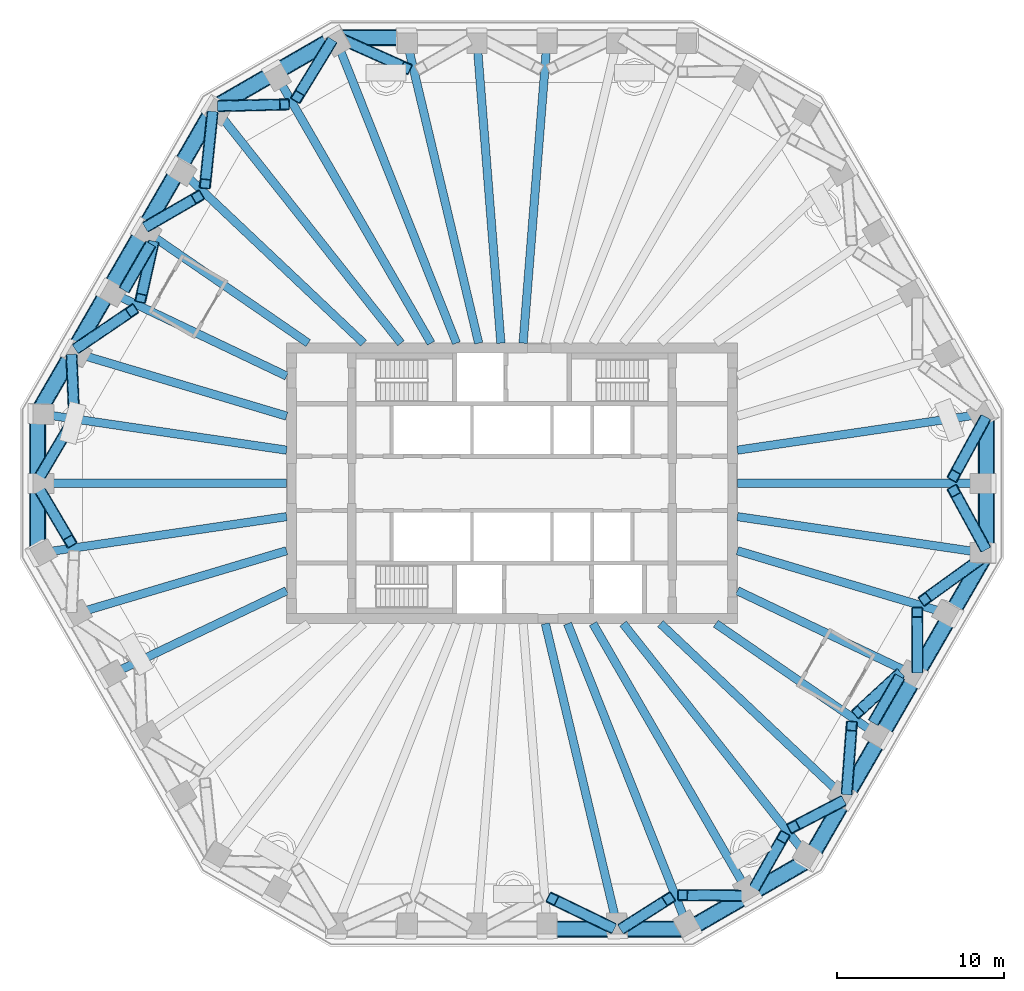
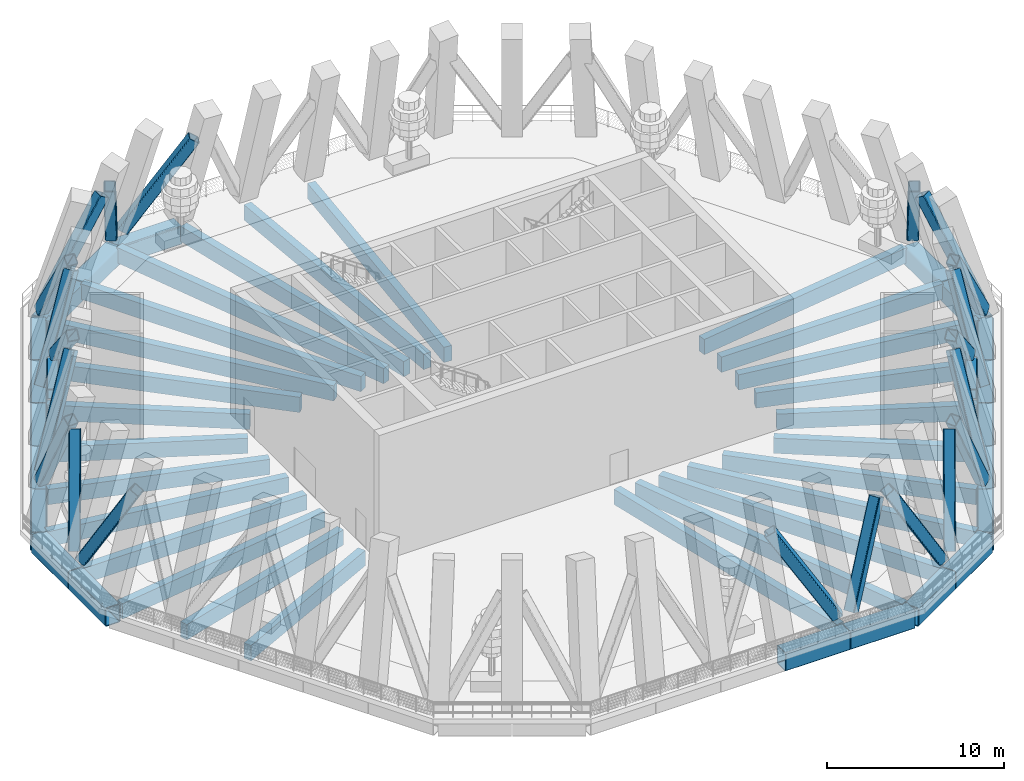
# One storey, part 2 of 11: 47 beams, 23 members.
"""IFC4 building model written with IfcOpenShell, lengths in metres."""

import ifcopenshell
import ifcopenshell.guid

model = None  # the IFC model being written
_history = None  # IfcOwnerHistory: only IFC2X3 demands one
_inside = {}  # id of a spatial element -> (the spatial element, [elements in it])
_under = {}  # id of a project, library or spatial element -> (it, [spatial elements below it])
_declared = {}  # id of a project -> (the project, [libraries it declares])
_typed = {}  # id of a type object -> (the type object, [elements of that type])
_made_of = {}  # id of a material, layer set ... -> (it, [elements and type objects made of it])


def new_model(schema):
    """Start an empty IFC model of exactly this schema.

    Asked for "IFC4X3", IfcOpenShell would pick the latest addendum, in which some entities
    have other attributes; the version numbers below select the first issue.
    IFC2X3 requires an IfcOwnerHistory on every rooted entity: one is made here for all.
    """
    global model, _history
    if schema == "IFC4X3":
        model = ifcopenshell.file(schema_version=(4, 3, 0, 0))
    else:
        model = ifcopenshell.file(schema=schema)
    _inside.clear()
    _under.clear()
    _declared.clear()
    _typed.clear()
    _made_of.clear()
    _history = None
    if model.schema == "IFC2X3":
        org = make("IfcOrganization", Name="unknown")
        user = make(
            "IfcPersonAndOrganization",
            ThePerson=make("IfcPerson", FamilyName="unknown"),
            TheOrganization=org,
        )
        app = make(
            "IfcApplication",
            ApplicationDeveloper=org,
            Version="unknown",
            ApplicationFullName="unknown",
            ApplicationIdentifier="unknown",
        )
        _history = make(
            "IfcOwnerHistory",
            OwningUser=user,
            OwningApplication=app,
            ChangeAction="ADDED",
            CreationDate=0,
        )
    return model


def make(cls, **values):
    """One entity of the class cls with the attributes given. An attribute that is None is left unset."""
    return model.create_entity(
        cls, **{name: value for name, value in values.items() if value is not None}
    )


def rooted(cls, **values):
    """An entity with a GlobalId (a new one), such as an element, a storey or a relation."""
    return make(cls, GlobalId=ifcopenshell.guid.new(), OwnerHistory=_history, **values)


def si_unit(unit_type, name, prefix=None):
    """IfcSIUnit, for example si_unit("LENGTHUNIT", "METRE", prefix="MILLI")."""
    return make("IfcSIUnit", UnitType=unit_type, Prefix=prefix, Name=name)


def assignment(units):
    """IfcUnitAssignment: the units of a project."""
    return None if units is None else make("IfcUnitAssignment", Units=units)


def point(xyz):
    """IfcCartesianPoint."""
    return None if xyz is None else make("IfcCartesianPoint", Coordinates=xyz)


def direction(xyz):
    """IfcDirection."""
    return None if xyz is None else make("IfcDirection", DirectionRatios=xyz)


def frame(location, z_axis=None, x_axis=None):
    """IfcAxis2Placement3D, a coordinate frame: its origin and axes. An axis left out is left unset."""
    return make(
        "IfcAxis2Placement3D",
        Location=point(location),
        Axis=direction(z_axis),
        RefDirection=direction(x_axis),
    )


def frame_2d(location, x_axis=None):
    """IfcAxis2Placement2D, a coordinate frame in the plane: its origin and x axis."""
    return make(
        "IfcAxis2Placement2D", Location=point(location), RefDirection=direction(x_axis)
    )


def origin():
    """The frame at (0, 0, 0) with its axes left unset."""
    return frame((0.0, 0.0, 0.0))


def origin_2d():
    """The frame at (0, 0) in the plane with its x axis left unset."""
    return frame_2d((0.0, 0.0))


def place(relative_to, where):
    """IfcLocalPlacement: puts the frame where relative to a parent placement (None: the world)."""
    return make(
        "IfcLocalPlacement", PlacementRelTo=relative_to, RelativePlacement=where
    )


def context(
    kind, dimensions, precision=None, world=None, true_north=None, identifier=None
):
    """IfcGeometricRepresentationContext, for example the 3D "Model" context."""
    return make(
        "IfcGeometricRepresentationContext",
        ContextIdentifier=identifier,
        ContextType=kind,
        CoordinateSpaceDimension=dimensions,
        Precision=precision,
        WorldCoordinateSystem=world,
        TrueNorth=true_north,
    )


def subcontext(parent, identifier, kind, view, scale=None):
    """IfcGeometricRepresentationSubContext, for example "Body" below "Model"."""
    return make(
        "IfcGeometricRepresentationSubContext",
        ContextIdentifier=identifier,
        ContextType=kind,
        ParentContext=parent,
        TargetScale=scale,
        TargetView=view,
    )


def project(units=None, contexts=None):
    """IfcProject with its units and contexts."""
    return rooted(
        "IfcProject",
        Name="project",
        RepresentationContexts=contexts,
        UnitsInContext=assignment(units),
    )


def spatial(cls, under=None, at=None, **own):
    """A site, building, storey or space (cls), placed at a placement, below another one or the project."""
    s = rooted(cls, ObjectPlacement=at, **own)
    if under is not None:
        _under.setdefault(under.id(), (under, []))[1].append(s)
    return s


def profile(cls, at=None, kind="AREA", **sizes):
    """A parametric profile (cls). Its sizes go by their IFC names, for example OverallWidth=200.0."""
    return make(cls, ProfileType=kind, Position=at, **sizes)


def rectangle(**sizes):
    """IfcRectangleProfileDef."""
    return profile("IfcRectangleProfileDef", **sizes)


def hollow_rectangle(**sizes):
    """IfcRectangleHollowProfileDef."""
    return profile("IfcRectangleHollowProfileDef", **sizes)


def extrude(swept, where, along, depth):
    """IfcExtrudedAreaSolid: the profile swept, set in the frame where, extruded along a direction by depth."""
    return make(
        "IfcExtrudedAreaSolid",
        SweptArea=swept,
        Position=where,
        ExtrudedDirection=direction(along),
        Depth=depth,
    )


def shape(context_of_items, identifier, shape_type, items):
    """IfcShapeRepresentation: the items that make up one representation, for example the "Body"."""
    return make(
        "IfcShapeRepresentation",
        ContextOfItems=context_of_items,
        RepresentationIdentifier=identifier,
        RepresentationType=shape_type,
        Items=items,
    )


def material(Name=None, Category=None):
    """IfcMaterial."""
    return make("IfcMaterial", Name=Name, Category=Category)


def material_profile(
    of_material, cross_section, Name=None, Category=None, Priority=None
):
    """IfcMaterialProfile: a cross section and its material."""
    return make(
        "IfcMaterialProfile",
        Name=Name,
        Material=of_material,
        Profile=cross_section,
        Priority=Priority,
        Category=Category,
    )


def profile_set(profiles, Name=None, composite=None):
    """IfcMaterialProfileSet."""
    return make(
        "IfcMaterialProfileSet",
        Name=Name,
        MaterialProfiles=profiles,
        CompositeProfile=composite,
    )


def made_of(thing, what):
    """Note that an element or type object is made of a material, layer set ...; save() writes the relation."""
    if what is not None:
        _made_of.setdefault(what.id(), (what, []))[1].append(thing)
    return thing


def type_object(cls, material=None, **own):
    """A type object (cls), such as IfcWallType, which elements share."""
    return made_of(rooted(cls, **own), material)


def element(
    cls,
    number,
    at=None,
    inside=None,
    cuts=None,
    type_object=None,
    material=None,
    context=None,
    identifier="Body",
    shape_type=None,
    held_by="IfcProductDefinitionShape",
    body=None,
    shapes=None,
    **own,
):
    """One element of the class cls, such as IfcWall. Its Tag is "e" and its number.

    at: its placement. inside: the storey or other place that contains it. cuts: it is an
    opening in that element (IfcRelVoidsElement). A single representation is given by context,
    identifier, shape_type and body (its items); several are given by shapes. held_by: the class
    of the entity that holds the representations. save() writes the other relations.
    """
    e = rooted(cls, Tag="e%d" % number, ObjectPlacement=at, **own)
    if body is not None:
        shapes = [shape(context, identifier, shape_type, body)]
    if shapes is not None:
        e.Representation = make(held_by, Representations=shapes)
    if inside is not None:
        _inside.setdefault(inside.id(), (inside, []))[1].append(e)
    if cuts is not None:
        rooted(
            "IfcRelVoidsElement", RelatingBuildingElement=cuts, RelatedOpeningElement=e
        )
    if type_object is not None:
        _typed.setdefault(type_object.id(), (type_object, []))[1].append(e)
    return made_of(e, material)


def aggregate(whole, parts):
    """IfcRelAggregates: a whole, such as a stair, and the parts it consists of."""
    return rooted("IfcRelAggregates", RelatingObject=whole, RelatedObjects=parts)


def save(model, path):
    """Write the relations noted so far, then the file.

    IfcRelAggregates (storeys below a building ...), IfcRelContainedInSpatialStructure (elements
    in a storey), IfcRelDefinesByType, IfcRelAssociatesMaterial and IfcRelDeclares: one each for
    every whole, place, type object, material and project.
    """
    for whole, parts in _under.values():
        aggregate(whole, parts)
    for where, things in _inside.values():
        rooted(
            "IfcRelContainedInSpatialStructure",
            RelatedElements=things,
            RelatingStructure=where,
        )
    for kind, things in _typed.values():
        rooted("IfcRelDefinesByType", RelatedObjects=things, RelatingType=kind)
    for what, things in _made_of.values():
        rooted("IfcRelAssociatesMaterial", RelatedObjects=things, RelatingMaterial=what)
    for by, libraries in _declared.values():
        rooted("IfcRelDeclares", RelatingContext=by, RelatedDefinitions=libraries)
    model.write(path)


model = new_model("IFC4")

# Units and contexts
model_context = context("Model", 3, precision=1e-05, world=origin(), true_north=direction((0.0, 1.0)))
body_context = subcontext(model_context, "Body", "Model", "MODEL_VIEW")
ifc_project = project(units=[si_unit("LENGTHUNIT", "METRE"), si_unit("AREAUNIT", "SQUARE_METRE"), si_unit("VOLUMEUNIT", "CUBIC_METRE"), si_unit("PLANEANGLEUNIT", "RADIAN"), si_unit("MASSUNIT", "GRAM", prefix="KILO")], contexts=[model_context])

# Site, building, storey
site_placement = place(None, origin())
site = spatial("IfcSite", under=ifc_project, at=site_placement, CompositionType="ELEMENT")
building_placement = place(site_placement, origin())
building = spatial("IfcBuilding", under=site, at=building_placement, Name="Frailejon Research Tower", CompositionType="ELEMENT")
storey_placement = place(building_placement, frame((0.0, 0.0, 202.39990234375)))
storey = spatial("IfcBuildingStorey", under=building, at=storey_placement, Name="L44", CompositionType="ELEMENT", Elevation=202.39990234375)

# Beams
ifc_material_1 = material(Name="Steel S355", Category="steel")
ifc_material_profile_1 = material_profile(ifc_material_1, hollow_rectangle(XDim=1.0, YDim=1.300048828125, WallThickness=0.06005859375, InnerFilletRadius=0.06005859375, OuterFilletRadius=0.1201171875, at=origin_2d()), Name="Belt chord")
ifc_profile_set_1 = profile_set([ifc_material_profile_1], Name="Steel S355")
beam_type_1 = type_object("IfcBeamType", Name="Belt chord", PredefinedType="BEAM", material=ifc_profile_set_1)
for number, where, z_axis, x_axis, name in (
    (1, (28.412841796875, -4.16748046875, -1.0), (0.0, 1.0, 0.0), (-1.0, 0.0, 0.0), "Belt chord"),
    (2, (28.412841796875, 0.02001953125, -1.0), (0.0, 1.0, 0.0), (-1.0, 0.0, 0.0), "Belt chord"),
):
    element("IfcBeam", number, at=place(storey_placement, frame(where, z_axis=z_axis, x_axis=x_axis)), inside=storey, type_object=beam_type_1, Name=name, PredefinedType="BEAM", context=body_context, shape_type="SweptSolid", body=[
        extrude(hollow_rectangle(XDim=1.0, YDim=1.300048828125, WallThickness=0.06005859375, InnerFilletRadius=0.06005859375, OuterFilletRadius=0.1201171875, at=origin_2d()), origin(), (0.0, 0.0, 1.0), 4.1474609375),
    ])
beam_1_placement = place(storey_placement, frame((-6.367919921875, 26.699951171875, -1.0), z_axis=(-1.0, 0.0, 0.0), x_axis=(0.0, -1.0, 0.0)))
element("IfcBeam", 3, at=beam_1_placement, inside=storey, type_object=beam_type_1, Name="Belt chord", PredefinedType="BEAM", context=body_context, shape_type="SweptSolid", body=[
    extrude(hollow_rectangle(XDim=1.0, YDim=1.300048828125, WallThickness=0.06005859375, InnerFilletRadius=0.06005859375, OuterFilletRadius=0.1201171875, at=origin_2d()), origin(), (0.0, 0.0, 1.0), 4.19189453125),
])
for number, where, z_axis, x_axis, name in (
    (4, (-10.59716796875, 26.68994140625, -1.0), (-0.866039536849, -0.499975520016, 0.0), (0.499975520016, -0.866039536849, 0.0), "Belt chord"),
    (5, (-14.2236328125, 24.59619140625, -1.0), (-0.866039536849, -0.499975520016, 0.0), (0.499975520016, -0.866039536849, 0.0), "Belt chord"),
):
    element("IfcBeam", number, at=place(storey_placement, frame(where, z_axis=z_axis, x_axis=x_axis)), inside=storey, type_object=beam_type_1, Name=name, PredefinedType="BEAM", context=body_context, shape_type="SweptSolid", body=[
        extrude(hollow_rectangle(XDim=1.0, YDim=1.300048828125, WallThickness=0.06005859375, InnerFilletRadius=0.06005859375, OuterFilletRadius=0.1201171875, at=origin_2d()), origin(), (0.0, 0.0, 1.0), 4.147705078125),
    ])
for number, where, z_axis, x_axis, name in (
    (6, (-17.843017578125, 22.4951171875, -1.0), (-0.499991329354, -0.866030409726, 0.0), (0.866030409726, -0.499991329354, 0.0), "Belt chord"),
    (7, (-19.958984375, 18.830078125, -1.0), (-0.499991329354, -0.866030409726, 0.0), (0.866030409726, -0.499991329354, 0.0), "Belt chord"),
    (8, (-22.074951171875, 15.165283203125, -1.0), (-0.499991329354, -0.866030409726, 0.0), (0.866030409726, -0.499991329354, 0.0), "Belt chord"),
    (9, (-24.19091796875, 11.500244140625, -1.0), (-0.499991329354, -0.866030409726, 0.0), (0.866030409726, -0.499991329354, 0.0), "Belt chord"),
    (10, (-26.306884765625, 7.835205078125, -1.0), (-0.499991329354, -0.866030409726, 0.0), (0.866030409726, -0.499991329354, 0.0), "Belt chord"),
):
    element("IfcBeam", number, at=place(storey_placement, frame(where, z_axis=z_axis, x_axis=x_axis)), inside=storey, type_object=beam_type_1, Name=name, PredefinedType="BEAM", context=body_context, shape_type="SweptSolid", body=[
        extrude(hollow_rectangle(XDim=1.0, YDim=1.300048828125, WallThickness=0.06005859375, InnerFilletRadius=0.06005859375, OuterFilletRadius=0.1201171875, at=origin_2d()), origin(), (0.0, 0.0, 1.0), 4.19189453125),
    ])
for number, where, z_axis, x_axis, name in (
    (11, (-28.412841796875, 4.16748046875, -1.0), (0.0, -1.0, 0.0), (1.0, 0.0, 0.0), "Belt chord"),
    (12, (-28.412841796875, -0.02001953125, -1.0), (0.0, -1.0, 0.0), (1.0, 0.0, 0.0), "Belt chord"),
):
    element("IfcBeam", number, at=place(storey_placement, frame(where, z_axis=z_axis, x_axis=x_axis)), inside=storey, type_object=beam_type_1, Name=name, PredefinedType="BEAM", context=body_context, shape_type="SweptSolid", body=[
        extrude(hollow_rectangle(XDim=1.0, YDim=1.300048828125, WallThickness=0.06005859375, InnerFilletRadius=0.06005859375, OuterFilletRadius=0.1201171875, at=origin_2d()), origin(), (0.0, 0.0, 1.0), 4.1474609375),
    ])
for number, where, z_axis, x_axis, name in (
    (13, (2.135986328125, -26.699951171875, -1.0), (1.0, 0.0, 0.0), (0.0, 1.0, 0.0), "Belt chord"),
    (14, (6.367919921875, -26.699951171875, -1.0), (1.0, 0.0, 0.0), (0.0, 1.0, 0.0), "Belt chord"),
):
    element("IfcBeam", number, at=place(storey_placement, frame(where, z_axis=z_axis, x_axis=x_axis)), inside=storey, type_object=beam_type_1, Name=name, PredefinedType="BEAM", context=body_context, shape_type="SweptSolid", body=[
        extrude(hollow_rectangle(XDim=1.0, YDim=1.300048828125, WallThickness=0.06005859375, InnerFilletRadius=0.06005859375, OuterFilletRadius=0.1201171875, at=origin_2d()), origin(), (0.0, 0.0, 1.0), 4.19189453125),
    ])
for number, where, z_axis, x_axis, name in (
    (15, (10.59716796875, -26.68994140625, -1.0), (0.866039536849, 0.499975520016, 0.0), (-0.499975520016, 0.866039536849, 0.0), "Belt chord"),
    (16, (14.2236328125, -24.59619140625, -1.0), (0.866039536849, 0.499975520016, 0.0), (-0.499975520016, 0.866039536849, 0.0), "Belt chord"),
):
    element("IfcBeam", number, at=place(storey_placement, frame(where, z_axis=z_axis, x_axis=x_axis)), inside=storey, type_object=beam_type_1, Name=name, PredefinedType="BEAM", context=body_context, shape_type="SweptSolid", body=[
        extrude(hollow_rectangle(XDim=1.0, YDim=1.300048828125, WallThickness=0.06005859375, InnerFilletRadius=0.06005859375, OuterFilletRadius=0.1201171875, at=origin_2d()), origin(), (0.0, 0.0, 1.0), 4.147705078125),
    ])
for number, where, z_axis, x_axis, name in (
    (17, (17.843017578125, -22.4951171875, -1.0), (0.499991329354, 0.866030409726, 0.0), (-0.866030409726, 0.499991329354, 0.0), "Belt chord"),
    (18, (19.958984375, -18.830078125, -1.0), (0.499991329354, 0.866030409726, 0.0), (-0.866030409726, 0.499991329354, 0.0), "Belt chord"),
    (19, (22.074951171875, -15.165283203125, -1.0), (0.499991329354, 0.866030409726, 0.0), (-0.866030409726, 0.499991329354, 0.0), "Belt chord"),
    (20, (24.19091796875, -11.500244140625, -1.0), (0.499991329354, 0.866030409726, 0.0), (-0.866030409726, 0.499991329354, 0.0), "Belt chord"),
    (21, (26.306884765625, -7.835205078125, -1.0), (0.499991329354, 0.866030409726, 0.0), (-0.866030409726, 0.499991329354, 0.0), "Belt chord"),
):
    element("IfcBeam", number, at=place(storey_placement, frame(where, z_axis=z_axis, x_axis=x_axis)), inside=storey, type_object=beam_type_1, Name=name, PredefinedType="BEAM", context=body_context, shape_type="SweptSolid", body=[
        extrude(hollow_rectangle(XDim=1.0, YDim=1.300048828125, WallThickness=0.06005859375, InnerFilletRadius=0.06005859375, OuterFilletRadius=0.1201171875, at=origin_2d()), origin(), (0.0, 0.0, 1.0), 4.19189453125),
    ])

# Members
ifc_material_2 = material(Name="Steel S355", Category="steel")
ifc_material_profile_2 = material_profile(ifc_material_2, hollow_rectangle(XDim=0.699951171875, YDim=0.699951171875, WallThickness=0.050048828125, InnerFilletRadius=0.050048828125, OuterFilletRadius=0.10009765625, at=origin_2d()), Name="Belt diagonal 9000")
ifc_profile_set_2 = profile_set([ifc_material_profile_2], Name="Steel S355")
member_type = type_object("IfcMemberType", Name="Belt diagonal 9000", PredefinedType="BRACE", material=ifc_profile_set_2)
for number, where, z_axis, x_axis, name in (
    (22, (28.252197265625, -3.7158203125, 0.540283203125), (-0.252766995849, 0.463440803657, 0.849312349678), (-0.877910621023, -0.47882454145, 0.0), "Belt truss diagonal"),
    (23, (26.470947265625, 0.449951171875, 6.525390625), (0.252766995849, 0.463440803657, -0.849312349678), (-0.877910621023, 0.47882454145, 0.0), "Belt truss diagonal"),
):
    element("IfcMember", number, at=place(storey_placement, frame(where, z_axis=z_axis, x_axis=x_axis)), inside=storey, type_object=member_type, Name=name, PredefinedType="BRACE", context=body_context, shape_type="SweptSolid", body=[
        extrude(hollow_rectangle(XDim=0.699951171875, YDim=0.699951171875, WallThickness=0.050048828125, InnerFilletRadius=0.050048828125, OuterFilletRadius=0.10009765625, at=origin_2d()), origin(), (0.0, 0.0, 1.0), 7.047119140625),
    ])
member_1_placement = place(storey_placement, frame((-6.3505859375, 24.885009765625, 6.534423828125), z_axis=(-0.512923515186, 0.229751201542, -0.82711779872), x_axis=(-0.408789164122, -0.912628850791, 0.0)))
element("IfcMember", 24, at=member_1_placement, inside=storey, type_object=member_type, Name="Belt truss diagonal", PredefinedType="BRACE", context=body_context, shape_type="SweptSolid", body=[
    extrude(hollow_rectangle(XDim=0.699951171875, YDim=0.699951171875, WallThickness=0.050048828125, InnerFilletRadius=0.050048828125, OuterFilletRadius=0.10009765625, at=origin_2d()), origin(), (0.0, 0.0, 1.0), 7.248291015625),
])
for number, where, z_axis, x_axis, name in (
    (25, (-10.907958984375, 26.324951171875, 0.540283203125), (-0.274973808858, -0.450621687264, 0.849311191148), (0.853623947981, -0.520889772824, 0.0), "Belt truss diagonal"),
    (26, (-13.625, 22.699462890625, 6.525390625), (-0.527739220952, -0.0128530986, -0.849309197245), (0.024347798625, -0.999703548409, 0.0), "Belt truss diagonal"),
):
    element("IfcMember", number, at=place(storey_placement, frame(where, z_axis=z_axis, x_axis=x_axis)), inside=storey, type_object=member_type, Name=name, PredefinedType="BRACE", context=body_context, shape_type="SweptSolid", body=[
        extrude(hollow_rectangle(XDim=0.699951171875, YDim=0.699951171875, WallThickness=0.050048828125, InnerFilletRadius=0.050048828125, OuterFilletRadius=0.10009765625, at=origin_2d()), origin(), (0.0, 0.0, 1.0), 7.047119140625),
    ])
member_2_placement = place(storey_placement, frame((-17.958984375, 21.994384765625, 0.539306640625), z_axis=(-0.057498173061, -0.559049313587, 0.827138334907), x_axis=(0.994752542347, -0.102310212074, 0.0)))
element("IfcMember", 27, at=member_2_placement, inside=storey, type_object=member_type, Name="Belt truss diagonal", PredefinedType="BRACE", context=body_context, shape_type="SweptSolid", body=[
    extrude(hollow_rectangle(XDim=0.699951171875, YDim=0.699951171875, WallThickness=0.050048828125, InnerFilletRadius=0.050048828125, OuterFilletRadius=0.10009765625, at=origin_2d()), origin(), (0.0, 0.0, 1.0), 7.248046875),
])
member_3_placement = place(storey_placement, frame((-18.82568359375, 17.162841796875, 6.534423828125), z_axis=(-0.421165413913, -0.244197682983, -0.873491377032), x_axis=(0.50159780274, -0.865100944565, 0.0)))
element("IfcMember", 28, at=member_3_placement, inside=storey, type_object=member_type, Name="Belt truss diagonal", PredefinedType="BRACE", context=body_context, shape_type="SweptSolid", body=[
    extrude(hollow_rectangle(XDim=0.699951171875, YDim=0.699951171875, WallThickness=0.050048828125, InnerFilletRadius=0.050048828125, OuterFilletRadius=0.10009765625, at=origin_2d()), origin(), (0.0, 0.0, 1.0), 6.86328125),
])
member_4_placement = place(storey_placement, frame((-21.63671875, 14.3408203125, 2.85009765625), z_axis=(-0.499993040581, -0.866029421769, 0.0), x_axis=(0.866029421769, -0.499993040581, 0.0)))
element("IfcMember", 29, at=member_4_placement, inside=storey, type_object=member_type, Name="Belt truss door-head strut", PredefinedType="BRACE", context=body_context, shape_type="SweptSolid", body=[
    extrude(hollow_rectangle(XDim=0.699951171875, YDim=0.699951171875, WallThickness=0.050048828125, InnerFilletRadius=0.050048828125, OuterFilletRadius=0.10009765625, at=origin_2d()), origin(), (0.0, 0.0, 1.0), 3.2021484375),
])
member_5_placement = place(storey_placement, frame((-21.517578125, 14.25830078125, 3.369873046875), z_axis=(-0.149174704127, -0.66495738947, 0.731832342711), x_axis=(0.975748055649, -0.218896623767, 0.0)))
element("IfcMember", 30, at=member_5_placement, inside=storey, type_object=member_type, Name="Belt truss diagonal", PredefinedType="BRACE", context=body_context, shape_type="SweptSolid", body=[
    extrude(hollow_rectangle(XDim=0.699951171875, YDim=0.699951171875, WallThickness=0.050048828125, InnerFilletRadius=0.050048828125, OuterFilletRadius=0.10009765625, at=origin_2d()), origin(), (0.0, 0.0, 1.0), 4.76416015625),
])
member_6_placement = place(storey_placement, frame((-22.759521484375, 10.349365234375, 6.534423828125), z_axis=(-0.444911316046, -0.302340583366, -0.842997089262), x_axis=(0.562056882277, -0.827098580028, 0.0)))
element("IfcMember", 31, at=member_6_placement, inside=storey, type_object=member_type, Name="Belt truss diagonal", PredefinedType="BRACE", context=body_context, shape_type="SweptSolid", body=[
    extrude(hollow_rectangle(XDim=0.699951171875, YDim=0.699951171875, WallThickness=0.050048828125, InnerFilletRadius=0.050048828125, OuterFilletRadius=0.10009765625, at=origin_2d()), origin(), (0.0, 0.0, 1.0), 7.111572265625),
])
member_7_placement = place(storey_placement, frame((-26.37353515625, 7.419921875, 0.539306640625), z_axis=(0.019306755463, -0.459782788807, 0.887821511516), x_axis=(0.999119540643, 0.041954064221, 0.0)))
element("IfcMember", 32, at=member_7_placement, inside=storey, type_object=member_type, Name="Belt truss diagonal", PredefinedType="BRACE", context=body_context, shape_type="SweptSolid", body=[
    extrude(hollow_rectangle(XDim=0.699951171875, YDim=0.699951171875, WallThickness=0.050048828125, InnerFilletRadius=0.050048828125, OuterFilletRadius=0.10009765625, at=origin_2d()), origin(), (0.0, 0.0, 1.0), 6.752685546875),
])
for number, where, z_axis, x_axis, name in (
    (33, (-26.470947265625, 3.475830078125, 6.525390625), (-0.256699695536, -0.436065793103, -0.862526457795), (0.861769725848, -0.507299654654, 0.0), "Belt truss diagonal"),
    (34, (-28.252197265625, -0.449951171875, 0.540283203125), (0.256699695536, -0.436065793103, 0.862526457795), (0.861769725848, 0.507299654654, 0.0), "Belt truss diagonal"),
):
    element("IfcMember", number, at=place(storey_placement, frame(where, z_axis=z_axis, x_axis=x_axis)), inside=storey, type_object=member_type, Name=name, PredefinedType="BRACE", context=body_context, shape_type="SweptSolid", body=[
        extrude(hollow_rectangle(XDim=0.699951171875, YDim=0.699951171875, WallThickness=0.050048828125, InnerFilletRadius=0.050048828125, OuterFilletRadius=0.10009765625, at=origin_2d()), origin(), (0.0, 0.0, 1.0), 6.93896484375),
    ])
member_8_placement = place(storey_placement, frame((2.4169921875, -24.885009765625, 6.534423828125), z_axis=(0.484284874826, -0.234160851435, -0.842992796926), x_axis=(0.435304023232, 0.900283514988, 0.0)))
element("IfcMember", 35, at=member_8_placement, inside=storey, type_object=member_type, Name="Belt truss diagonal", PredefinedType="BRACE", context=body_context, shape_type="SweptSolid", body=[
    extrude(hollow_rectangle(XDim=0.699951171875, YDim=0.699951171875, WallThickness=0.050048828125, InnerFilletRadius=0.050048828125, OuterFilletRadius=0.10009765625, at=origin_2d()), origin(), (0.0, 0.0, 1.0), 7.11181640625),
])
member_9_placement = place(storey_placement, frame((6.760986328125, -26.55029296875, 0.539306640625), z_axis=(0.388522527912, 0.246613824947, 0.887824231844), x_axis=(-0.535904143394, 0.844278833735, 0.0)))
element("IfcMember", 36, at=member_9_placement, inside=storey, type_object=member_type, Name="Belt truss diagonal", PredefinedType="BRACE", context=body_context, shape_type="SweptSolid", body=[
    extrude(hollow_rectangle(XDim=0.699951171875, YDim=0.699951171875, WallThickness=0.050048828125, InnerFilletRadius=0.050048828125, OuterFilletRadius=0.10009765625, at=origin_2d()), origin(), (0.0, 0.0, 1.0), 6.752685546875),
])
member_10_placement = place(storey_placement, frame((10.22509765625, -24.662353515625, 6.525390625), z_axis=(0.506006536008, -0.004257181954, -0.862519137132), x_axis=(0.00841299665, 0.999964610117, 0.0)))
element("IfcMember", 37, at=member_10_placement, inside=storey, type_object=member_type, Name="Belt truss diagonal", PredefinedType="BRACE", context=body_context, shape_type="SweptSolid", body=[
    extrude(hollow_rectangle(XDim=0.699951171875, YDim=0.699951171875, WallThickness=0.050048828125, InnerFilletRadius=0.050048828125, OuterFilletRadius=0.10009765625, at=origin_2d()), origin(), (0.0, 0.0, 1.0), 6.939208984375),
])
member_11_placement = place(storey_placement, frame((14.515625, -24.241943359375, 0.540283203125), z_axis=(0.249312096729, 0.440324709365, 0.862529784266), x_axis=(-0.870196108502, 0.492705523359, 0.0)))
element("IfcMember", 38, at=member_11_placement, inside=storey, type_object=member_type, Name="Belt truss diagonal", PredefinedType="BRACE", context=body_context, shape_type="SweptSolid", body=[
    extrude(hollow_rectangle(XDim=0.699951171875, YDim=0.699951171875, WallThickness=0.050048828125, InnerFilletRadius=0.050048828125, OuterFilletRadius=0.10009765625, at=origin_2d()), origin(), (0.0, 0.0, 1.0), 6.93896484375),
])
member_12_placement = place(storey_placement, frame((16.858642578125, -20.569580078125, 6.534423828125), z_axis=(0.40783284298, 0.21313604693, -0.887831852147), x_axis=(-0.46317005928, 0.886269426409, 0.0)))
element("IfcMember", 39, at=member_12_placement, inside=storey, type_object=member_type, Name="Belt truss diagonal", PredefinedType="BRACE", context=body_context, shape_type="SweptSolid", body=[
    extrude(hollow_rectangle(XDim=0.699951171875, YDim=0.699951171875, WallThickness=0.050048828125, InnerFilletRadius=0.050048828125, OuterFilletRadius=0.10009765625, at=origin_2d()), origin(), (0.0, 0.0, 1.0), 6.75244140625),
])
member_13_placement = place(storey_placement, frame((20.0625, -18.350830078125, 0.539306640625), z_axis=(0.039376166446, 0.536470229335, 0.843000124883), x_axis=(-0.997317157609, 0.07320168809, 0.0)))
element("IfcMember", 40, at=member_13_placement, inside=storey, type_object=member_type, Name="Belt truss diagonal", PredefinedType="BRACE", context=body_context, shape_type="SweptSolid", body=[
    extrude(hollow_rectangle(XDim=0.699951171875, YDim=0.699951171875, WallThickness=0.050048828125, InnerFilletRadius=0.050048828125, OuterFilletRadius=0.10009765625, at=origin_2d()), origin(), (0.0, 0.0, 1.0), 7.111572265625),
])
member_14_placement = place(storey_placement, frame((21.63671875, -14.3408203125, 2.85009765625), z_axis=(0.499993040581, 0.866029421769, 0.0), x_axis=(-0.866029421769, 0.499993040581, 0.0)))
element("IfcMember", 41, at=member_14_placement, inside=storey, type_object=member_type, Name="Belt truss door-head strut", PredefinedType="BRACE", context=body_context, shape_type="SweptSolid", body=[
    extrude(hollow_rectangle(XDim=0.699951171875, YDim=0.699951171875, WallThickness=0.050048828125, InnerFilletRadius=0.050048828125, OuterFilletRadius=0.10009765625, at=origin_2d()), origin(), (0.0, 0.0, 1.0), 3.2021484375),
])
member_15_placement = place(storey_placement, frame((20.71875, -13.705078125, 6.8564453125), z_axis=(0.501254377198, 0.461639855823, -0.731869314055), x_axis=(-0.677442561497, 0.73557567651, 0.0)))
element("IfcMember", 42, at=member_15_placement, inside=storey, type_object=member_type, Name="Belt truss diagonal", PredefinedType="BRACE", context=body_context, shape_type="SweptSolid", body=[
    extrude(hollow_rectangle(XDim=0.699951171875, YDim=0.699951171875, WallThickness=0.050048828125, InnerFilletRadius=0.050048828125, OuterFilletRadius=0.10009765625, at=origin_2d()), origin(), (0.0, 0.0, 1.0), 4.763916015625),
])
member_16_placement = place(storey_placement, frame((24.27001953125, -11.0634765625, 0.539306640625), z_axis=(0.000924844301, 0.486859382743, 0.873479871604), x_axis=(-0.999998195741, 0.001899609344, 0.0)))
element("IfcMember", 43, at=member_16_placement, inside=storey, type_object=member_type, Name="Belt truss diagonal", PredefinedType="BRACE", context=body_context, shape_type="SweptSolid", body=[
    extrude(hollow_rectangle(XDim=0.699951171875, YDim=0.699951171875, WallThickness=0.050048828125, InnerFilletRadius=0.050048828125, OuterFilletRadius=0.10009765625, at=origin_2d()), origin(), (0.0, 0.0, 1.0), 6.863525390625),
])
member_17_placement = place(storey_placement, frame((24.726318359375, -6.942626953125, 6.534423828125), z_axis=(0.455429574102, 0.329319942755, -0.827122891919), x_axis=(-0.585956541923, 0.810342477584, 0.0)))
element("IfcMember", 44, at=member_17_placement, inside=storey, type_object=member_type, Name="Belt truss diagonal", PredefinedType="BRACE", context=body_context, shape_type="SweptSolid", body=[
    extrude(hollow_rectangle(XDim=0.699951171875, YDim=0.699951171875, WallThickness=0.050048828125, InnerFilletRadius=0.050048828125, OuterFilletRadius=0.10009765625, at=origin_2d()), origin(), (0.0, 0.0, 1.0), 7.248046875),
])

# Beams
ifc_material_3 = material(Name="Concrete C60/75", Category="concrete")
ifc_material_profile_3 = material_profile(ifc_material_3, rectangle(XDim=0.5, YDim=1.050048828125, at=origin_2d()), Name="Girder 500x1050")
ifc_profile_set_3 = profile_set([ifc_material_profile_3], Name="Concrete C60/75")
beam_type_2 = type_object("IfcBeamType", Name="Girder 500x1050", PredefinedType="BEAM", material=ifc_profile_set_3)
beam_2_placement = place(storey_placement, frame((27.961181640625, -4.12109375, -0.824951171875), z_axis=(-0.989312769209, 0.145808932102, 0.0), x_axis=(-0.145808932102, -0.989312769209, 0.0)))
element("IfcBeam", 45, at=beam_2_placement, inside=storey, type_object=beam_type_2, Name="Girder 500x1050", PredefinedType="BEAM", context=body_context, shape_type="SweptSolid", body=[
    extrude(rectangle(XDim=0.5, YDim=1.050048828125, at=origin_2d()), origin(), (0.0, 0.0, 1.0), 14.617431640625),
])
beam_3_placement = place(storey_placement, frame((27.962890625, 0.0, -0.824951171875), z_axis=(-1.0, 0.0, 0.0), x_axis=(0.0, -1.0, 0.0)))
element("IfcBeam", 46, at=beam_3_placement, inside=storey, type_object=beam_type_2, Name="Girder 500x1050", PredefinedType="BEAM", context=body_context, shape_type="SweptSolid", body=[
    extrude(rectangle(XDim=0.5, YDim=1.050048828125, at=origin_2d()), origin(), (0.0, 0.0, 1.0), 14.462890625),
])
beam_4_placement = place(storey_placement, frame((27.922607421875, 4.115478515625, -0.824951171875), z_axis=(-0.989312076654, -0.145813631002, 0.0), x_axis=(0.145813631002, -0.989312076654, 0.0)))
element("IfcBeam", 47, at=beam_4_placement, inside=storey, type_object=beam_type_2, Name="Girder 500x1050", PredefinedType="BEAM", context=body_context, shape_type="SweptSolid", body=[
    extrude(rectangle(XDim=0.5, YDim=1.050048828125, at=origin_2d()), origin(), (0.0, 0.0, 1.0), 14.578369140625),
])
for number, where, z_axis, x_axis, name in (
    (48, (2.080322265625, 26.24951171875, -0.824951171875), (-0.079000591604, -0.996874569104, 0.0), (0.996874569104, -0.079000591604, 0.0), "Girder 500x1050"),
    (49, (-2.080322265625, 26.24951171875, -0.824951171875), (0.079000591604, -0.996874569104, 0.0), (0.996874569104, 0.079000591604, 0.0), "Girder 500x1050"),
):
    element("IfcBeam", number, at=place(storey_placement, frame(where, z_axis=z_axis, x_axis=x_axis)), inside=storey, type_object=beam_type_2, Name=name, PredefinedType="BEAM", context=body_context, shape_type="SweptSolid", body=[
        extrude(rectangle(XDim=0.5, YDim=1.050048828125, at=origin_2d()), origin(), (0.0, 0.0, 1.0), 17.905517578125),
    ])
beam_5_placement = place(storey_placement, frame((-6.239990234375, 26.245849609375, -0.824951171875), z_axis=(0.231305029617, -0.972881279126, 0.0), x_axis=(0.972881279126, 0.231305029617, 0.0)))
element("IfcBeam", 50, at=beam_5_placement, inside=storey, type_object=beam_type_2, Name="Girder 500x1050", PredefinedType="BEAM", context=body_context, shape_type="SweptSolid", body=[
    extrude(rectangle(XDim=0.5, YDim=1.050048828125, at=origin_2d()), origin(), (0.0, 0.0, 1.0), 18.343505859375),
])
beam_6_placement = place(storey_placement, frame((-10.41162109375, 26.275634765625, -0.824951171875), z_axis=(0.36837202941, -0.929678464819, 0.0), x_axis=(0.929678464819, 0.36837202941, 0.0)))
element("IfcBeam", 51, at=beam_6_placement, inside=storey, type_object=beam_type_2, Name="Girder 500x1050", PredefinedType="BEAM", context=body_context, shape_type="SweptSolid", body=[
    extrude(rectangle(XDim=0.5, YDim=1.050048828125, at=origin_2d()), origin(), (0.0, 0.0, 1.0), 19.227783203125),
])
beam_7_placement = place(storey_placement, frame((-13.9814453125, 24.216552734375, -0.824951171875), z_axis=(0.500003637439, -0.866023303698, 0.0), x_axis=(0.866023303698, 0.500003637439, 0.0)))
element("IfcBeam", 52, at=beam_7_placement, inside=storey, type_object=beam_type_2, Name="Girder 500x1050", PredefinedType="BEAM", context=body_context, shape_type="SweptSolid", body=[
    extrude(rectangle(XDim=0.5, YDim=1.050048828125, at=origin_2d()), origin(), (0.0, 0.0, 1.0), 18.263427734375),
])
beam_8_placement = place(storey_placement, frame((-17.525390625, 22.1240234375, -0.824951171875), z_axis=(0.620936501251, -0.783860868658, 0.0), x_axis=(0.783860868658, 0.620936501251, 0.0)))
element("IfcBeam", 53, at=beam_8_placement, inside=storey, type_object=beam_type_2, Name="Girder 500x1050", PredefinedType="BEAM", context=body_context, shape_type="SweptSolid", body=[
    extrude(rectangle(XDim=0.5, YDim=1.050048828125, at=origin_2d()), origin(), (0.0, 0.0, 1.0), 17.50830078125),
])
beam_9_placement = place(storey_placement, frame((-19.609619140625, 18.527099609375, -0.824951171875), z_axis=(0.726879987685, -0.686764503671, 0.0), x_axis=(0.686764503671, 0.726879987685, 0.0)))
element("IfcBeam", 54, at=beam_9_placement, inside=storey, type_object=beam_type_2, Name="Girder 500x1050", PredefinedType="BEAM", context=body_context, shape_type="SweptSolid", body=[
    extrude(rectangle(XDim=0.5, YDim=1.050048828125, at=origin_2d()), origin(), (0.0, 0.0, 1.0), 14.746337890625),
])
beam_10_placement = place(storey_placement, frame((-21.692626953125, 14.92626953125, -0.824951171875), z_axis=(0.823817884516, -0.566854560846, 0.0), x_axis=(0.566854560846, 0.823817884516, 0.0)))
element("IfcBeam", 55, at=beam_10_placement, inside=storey, type_object=beam_type_2, Name="Girder 500x1050", PredefinedType="BEAM", context=body_context, shape_type="SweptSolid", body=[
    extrude(rectangle(XDim=0.5, YDim=1.050048828125, at=origin_2d()), origin(), (0.0, 0.0, 1.0), 11.51318359375),
])
beam_11_placement = place(storey_placement, frame((-23.77294921875, 11.3232421875, -0.824951171875), z_axis=(0.902820061987, -0.430018529454, 0.0), x_axis=(0.430018529454, 0.902820061987, 0.0)))
element("IfcBeam", 56, at=beam_11_placement, inside=storey, type_object=beam_type_2, Name="Girder 500x1050", PredefinedType="BEAM", context=body_context, shape_type="SweptSolid", body=[
    extrude(rectangle(XDim=0.5, YDim=1.050048828125, at=origin_2d()), origin(), (0.0, 0.0, 1.0), 11.378662109375),
])
beam_12_placement = place(storey_placement, frame((-25.849609375, 7.718994140625, -0.824951171875), z_axis=(0.958191499802, -0.286127680779, 0.0), x_axis=(0.286127680779, 0.958191499802, 0.0)))
element("IfcBeam", 57, at=beam_12_placement, inside=storey, type_object=beam_type_2, Name="Girder 500x1050", PredefinedType="BEAM", context=body_context, shape_type="SweptSolid", body=[
    extrude(rectangle(XDim=0.5, YDim=1.050048828125, at=origin_2d()), origin(), (0.0, 0.0, 1.0), 12.888427734375),
])
beam_13_placement = place(storey_placement, frame((-27.961181640625, 4.12109375, -0.824951171875), z_axis=(0.989312769209, -0.145808932102, 0.0), x_axis=(0.145808932102, 0.989312769209, 0.0)))
element("IfcBeam", 58, at=beam_13_placement, inside=storey, type_object=beam_type_2, Name="Girder 500x1050", PredefinedType="BEAM", context=body_context, shape_type="SweptSolid", body=[
    extrude(rectangle(XDim=0.5, YDim=1.050048828125, at=origin_2d()), origin(), (0.0, 0.0, 1.0), 14.617431640625),
])
beam_14_placement = place(storey_placement, frame((-27.962890625, 0.0, -0.824951171875), z_axis=(1.0, 0.0, 0.0), x_axis=(0.0, 1.0, 0.0)))
element("IfcBeam", 59, at=beam_14_placement, inside=storey, type_object=beam_type_2, Name="Girder 500x1050", PredefinedType="BEAM", context=body_context, shape_type="SweptSolid", body=[
    extrude(rectangle(XDim=0.5, YDim=1.050048828125, at=origin_2d()), origin(), (0.0, 0.0, 1.0), 14.462890625),
])
beam_15_placement = place(storey_placement, frame((-27.922607421875, -4.115478515625, -0.824951171875), z_axis=(0.989312076654, 0.145813631002, 0.0), x_axis=(-0.145813631002, 0.989312076654, 0.0)))
element("IfcBeam", 60, at=beam_15_placement, inside=storey, type_object=beam_type_2, Name="Girder 500x1050", PredefinedType="BEAM", context=body_context, shape_type="SweptSolid", body=[
    extrude(rectangle(XDim=0.5, YDim=1.050048828125, at=origin_2d()), origin(), (0.0, 0.0, 1.0), 14.578369140625),
])
beam_16_placement = place(storey_placement, frame((-25.849609375, -7.718994140625, -0.824951171875), z_axis=(0.958191499802, 0.286127680779, 0.0), x_axis=(-0.286127680779, 0.958191499802, 0.0)))
element("IfcBeam", 61, at=beam_16_placement, inside=storey, type_object=beam_type_2, Name="Girder 500x1050", PredefinedType="BEAM", context=body_context, shape_type="SweptSolid", body=[
    extrude(rectangle(XDim=0.5, YDim=1.050048828125, at=origin_2d()), origin(), (0.0, 0.0, 1.0), 12.888427734375),
])
beam_17_placement = place(storey_placement, frame((-23.77294921875, -11.3232421875, -0.824951171875), z_axis=(0.902820061987, 0.430018529454, 0.0), x_axis=(-0.430018529454, 0.902820061987, 0.0)))
element("IfcBeam", 62, at=beam_17_placement, inside=storey, type_object=beam_type_2, Name="Girder 500x1050", PredefinedType="BEAM", context=body_context, shape_type="SweptSolid", body=[
    extrude(rectangle(XDim=0.5, YDim=1.050048828125, at=origin_2d()), origin(), (0.0, 0.0, 1.0), 11.378662109375),
])
beam_18_placement = place(storey_placement, frame((6.239990234375, -26.245849609375, -0.824951171875), z_axis=(-0.231305029617, 0.972881279126, 0.0), x_axis=(-0.972881279126, -0.231305029617, 0.0)))
element("IfcBeam", 63, at=beam_18_placement, inside=storey, type_object=beam_type_2, Name="Girder 500x1050", PredefinedType="BEAM", context=body_context, shape_type="SweptSolid", body=[
    extrude(rectangle(XDim=0.5, YDim=1.050048828125, at=origin_2d()), origin(), (0.0, 0.0, 1.0), 18.343505859375),
])
beam_19_placement = place(storey_placement, frame((10.41162109375, -26.275634765625, -0.824951171875), z_axis=(-0.36837202941, 0.929678464819, 0.0), x_axis=(-0.929678464819, -0.36837202941, 0.0)))
element("IfcBeam", 64, at=beam_19_placement, inside=storey, type_object=beam_type_2, Name="Girder 500x1050", PredefinedType="BEAM", context=body_context, shape_type="SweptSolid", body=[
    extrude(rectangle(XDim=0.5, YDim=1.050048828125, at=origin_2d()), origin(), (0.0, 0.0, 1.0), 19.227783203125),
])
beam_20_placement = place(storey_placement, frame((13.9814453125, -24.216552734375, -0.824951171875), z_axis=(-0.500003637439, 0.866023303698, 0.0), x_axis=(-0.866023303698, -0.500003637439, 0.0)))
element("IfcBeam", 65, at=beam_20_placement, inside=storey, type_object=beam_type_2, Name="Girder 500x1050", PredefinedType="BEAM", context=body_context, shape_type="SweptSolid", body=[
    extrude(rectangle(XDim=0.5, YDim=1.050048828125, at=origin_2d()), origin(), (0.0, 0.0, 1.0), 18.263427734375),
])
beam_21_placement = place(storey_placement, frame((17.525390625, -22.1240234375, -0.824951171875), z_axis=(-0.620936501251, 0.783860868658, 0.0), x_axis=(-0.783860868658, -0.620936501251, 0.0)))
element("IfcBeam", 66, at=beam_21_placement, inside=storey, type_object=beam_type_2, Name="Girder 500x1050", PredefinedType="BEAM", context=body_context, shape_type="SweptSolid", body=[
    extrude(rectangle(XDim=0.5, YDim=1.050048828125, at=origin_2d()), origin(), (0.0, 0.0, 1.0), 17.50830078125),
])
beam_22_placement = place(storey_placement, frame((19.609619140625, -18.527099609375, -0.824951171875), z_axis=(-0.726879987685, 0.686764503671, 0.0), x_axis=(-0.686764503671, -0.726879987685, 0.0)))
element("IfcBeam", 67, at=beam_22_placement, inside=storey, type_object=beam_type_2, Name="Girder 500x1050", PredefinedType="BEAM", context=body_context, shape_type="SweptSolid", body=[
    extrude(rectangle(XDim=0.5, YDim=1.050048828125, at=origin_2d()), origin(), (0.0, 0.0, 1.0), 14.746337890625),
])
beam_23_placement = place(storey_placement, frame((21.692626953125, -14.92626953125, -0.824951171875), z_axis=(-0.823817884516, 0.566854560846, 0.0), x_axis=(-0.566854560846, -0.823817884516, 0.0)))
element("IfcBeam", 68, at=beam_23_placement, inside=storey, type_object=beam_type_2, Name="Girder 500x1050", PredefinedType="BEAM", context=body_context, shape_type="SweptSolid", body=[
    extrude(rectangle(XDim=0.5, YDim=1.050048828125, at=origin_2d()), origin(), (0.0, 0.0, 1.0), 11.51318359375),
])
beam_24_placement = place(storey_placement, frame((23.77294921875, -11.3232421875, -0.824951171875), z_axis=(-0.902820061987, 0.430018529454, 0.0), x_axis=(-0.430018529454, -0.902820061987, 0.0)))
element("IfcBeam", 69, at=beam_24_placement, inside=storey, type_object=beam_type_2, Name="Girder 500x1050", PredefinedType="BEAM", context=body_context, shape_type="SweptSolid", body=[
    extrude(rectangle(XDim=0.5, YDim=1.050048828125, at=origin_2d()), origin(), (0.0, 0.0, 1.0), 11.378662109375),
])
beam_25_placement = place(storey_placement, frame((25.849609375, -7.718994140625, -0.824951171875), z_axis=(-0.958191499802, 0.286127680779, 0.0), x_axis=(-0.286127680779, -0.958191499802, 0.0)))
element("IfcBeam", 70, at=beam_25_placement, inside=storey, type_object=beam_type_2, Name="Girder 500x1050", PredefinedType="BEAM", context=body_context, shape_type="SweptSolid", body=[
    extrude(rectangle(XDim=0.5, YDim=1.050048828125, at=origin_2d()), origin(), (0.0, 0.0, 1.0), 12.888427734375),
])

save(model, "model.ifc")
